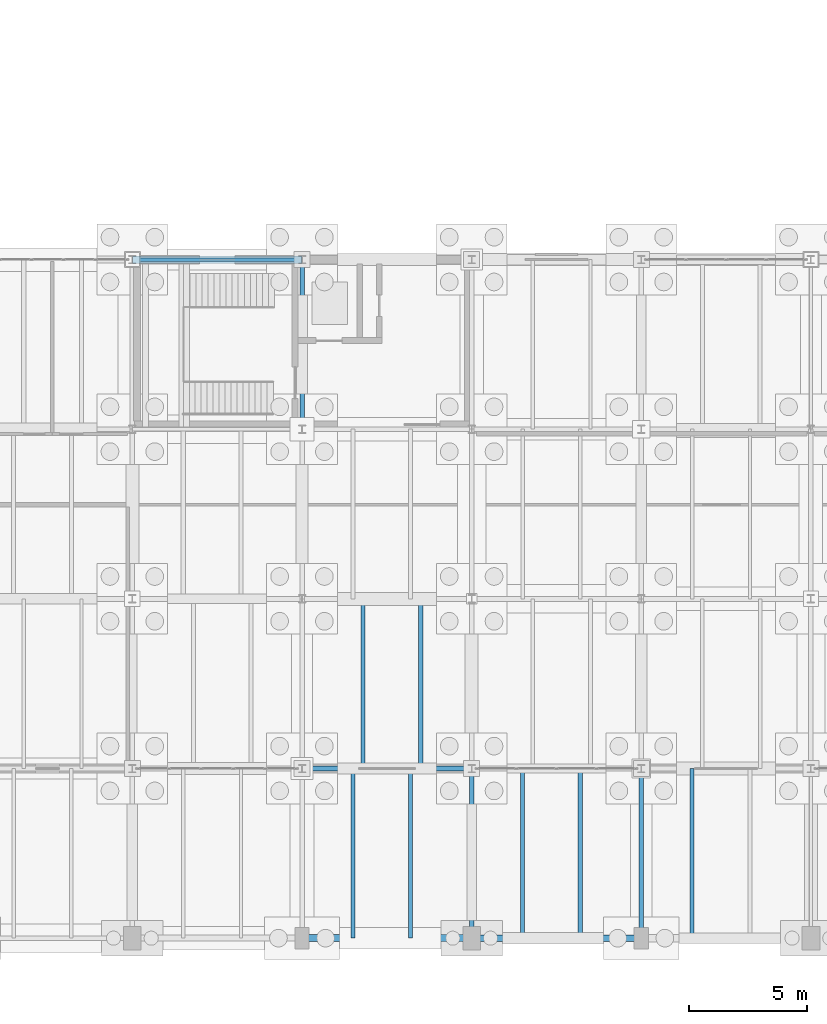
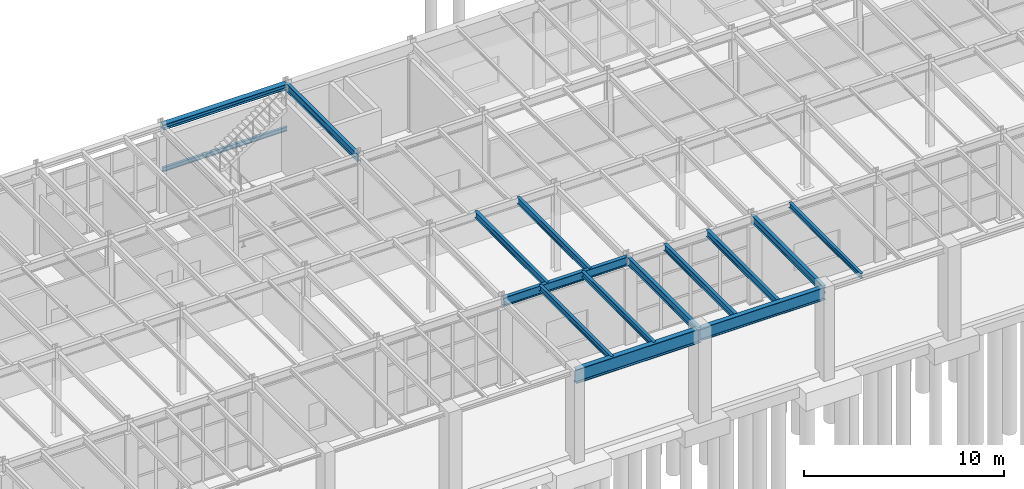
# One storey, part 81 of 293: 15 beams.
"""IFC4 building model written with IfcOpenShell, lengths in metres."""

from ifc_helpers import new_model, si_unit, direction, frame, origin, origin_2d, place, context, subcontext, project, spatial, i_section, extrude, material, material_profile, profile_set, type_object, element, save


model = new_model("IFC4")

# Units and contexts
model_context = context("Model", 3, precision=1e-05, world=origin(), true_north=direction((0.0, 1.0)))
body_context = subcontext(model_context, "Body", "Model", "MODEL_VIEW")
ifc_project = project(units=[si_unit("LENGTHUNIT", "METRE"), si_unit("AREAUNIT", "SQUARE_METRE"), si_unit("VOLUMEUNIT", "CUBIC_METRE"), si_unit("PLANEANGLEUNIT", "RADIAN"), si_unit("MASSUNIT", "GRAM", prefix="KILO")], contexts=[model_context])

# Site, building, storey
site_placement = place(None, origin())
site = spatial("IfcSite", under=ifc_project, at=site_placement, CompositionType="ELEMENT")
building_placement = place(site_placement, origin())
building = spatial("IfcBuilding", under=site, at=building_placement, Name="Kemerveld Promenade Tramway Depot", CompositionType="ELEMENT")
storey_placement = place(building_placement, origin())
storey = spatial("IfcBuildingStorey", under=building, at=storey_placement, Name="L00", CompositionType="ELEMENT", Elevation=0.0)

# Beams
ifc_material = material(Name="Steel S355", Category="steel")
ifc_material_profile_1 = material_profile(ifc_material, i_section(OverallWidth=0.293701171875, OverallDepth=0.850830078125, WebThickness=0.01611328125, FlangeThickness=0.02685546875, FilletRadius=0.017822265625, at=origin_2d()), Name="838x292x226 UB")
ifc_profile_set_1 = profile_set([ifc_material_profile_1], Name="Steel S355")
beam_type_1 = type_object("IfcBeamType", Name="BM-G01", PredefinedType="BEAM", material=ifc_profile_set_1)
beam_1_placement = place(storey_placement, frame((93.60009765625, 0.0, 4.74951171875), z_axis=(1.0, 0.0, 0.0), x_axis=(0.0, 1.0, 0.0)))
element("IfcBeam", 1, at=beam_1_placement, inside=storey, type_object=beam_type_1, Name="BMX-L00-14-15-A", PredefinedType="BEAM", context=body_context, shape_type="SweptSolid", body=[
    extrude(i_section(OverallWidth=0.293701171875, OverallDepth=0.850830078125, WebThickness=0.01611328125, FlangeThickness=0.02685546875, FilletRadius=0.017822265625, at=origin_2d()), origin(), (0.0, 0.0, 1.0), 7.199951171875),
])
ifc_material_profile_2 = material_profile(ifc_material, i_section(OverallWidth=0.2666015625, OverallDepth=0.76220703125, WebThickness=0.014404296875, FlangeThickness=0.021484375, FilletRadius=0.0166015625, at=origin_2d()), Name="762x267x173 UB")
ifc_profile_set_2 = profile_set([ifc_material_profile_2], Name="Steel S355")
beam_type_2 = type_object("IfcBeamType", Name="BM-G02", PredefinedType="BEAM", material=ifc_profile_set_2)
beam_2_placement = place(storey_placement, frame((100.800048828125, 0.0, 4.7939453125), z_axis=(1.0, 0.0, 0.0), x_axis=(0.0, 1.0, 0.0)))
element("IfcBeam", 2, at=beam_2_placement, inside=storey, type_object=beam_type_2, Name="BMX-L00-15-16-A", PredefinedType="BEAM", context=body_context, shape_type="SweptSolid", body=[
    extrude(i_section(OverallWidth=0.2666015625, OverallDepth=0.76220703125, WebThickness=0.014404296875, FlangeThickness=0.021484375, FilletRadius=0.0166015625, at=origin_2d()), origin(), (0.0, 0.0, 1.0), 7.199951171875),
])
ifc_material_profile_3 = material_profile(ifc_material, i_section(OverallWidth=0.2099609375, OverallDepth=0.53662109375, WebThickness=0.0107421875, FlangeThickness=0.017333984375, FilletRadius=0.0126953125, at=origin_2d()), Name="533x210x101 UB")
ifc_profile_set_3 = profile_set([ifc_material_profile_3], Name="Steel S355")
beam_type_3 = type_object("IfcBeamType", Name="BM-G05", PredefinedType="BEAM", material=ifc_profile_set_3)
beam_3_placement = place(storey_placement, frame((93.60009765625, 7.199951171875, 4.906494140625), z_axis=(1.0, 0.0, 0.0), x_axis=(0.0, 1.0, 0.0)))
element("IfcBeam", 3, at=beam_3_placement, inside=storey, type_object=beam_type_3, Name="BMX-L00-14-15-B", PredefinedType="BEAM", context=body_context, shape_type="SweptSolid", body=[
    extrude(i_section(OverallWidth=0.2099609375, OverallDepth=0.53662109375, WebThickness=0.0107421875, FlangeThickness=0.017333984375, FilletRadius=0.0126953125, at=origin_2d()), origin(), (0.0, 0.0, 1.0), 7.199951171875),
])
ifc_material_profile_4 = material_profile(ifc_material, i_section(OverallWidth=0.19140625, OverallDepth=0.4599609375, WebThickness=0.010009765625, FlangeThickness=0.01611328125, FilletRadius=0.01025390625, at=origin_2d()), Name="457x191x82 UB")
ifc_profile_set_4 = profile_set([ifc_material_profile_4], Name="Steel S355")
beam_type_4 = type_object("IfcBeamType", Name="BM-G06", PredefinedType="BEAM", material=ifc_profile_set_4)
for number, where, z_axis, x_axis, name in (
    (4, (93.60009765625, 21.60009765625, 4.945068359375), (0.0, 1.0, 0.0), (-1.0, 0.0, 0.0), "BMY-L00-14-D-E"),
    (5, (100.800048828125, 0.0, 4.945068359375), (0.0, 1.0, 0.0), (-1.0, 0.0, 0.0), "BMY-L00-15-A-B"),
    (6, (108.0, 0.0, 4.945068359375), (0.0, 1.0, 0.0), (-1.0, 0.0, 0.0), "BMY-L00-16-A-B"),
):
    element("IfcBeam", number, at=place(storey_placement, frame(where, z_axis=z_axis, x_axis=x_axis)), inside=storey, type_object=beam_type_4, Name=name, PredefinedType="BEAM", context=body_context, shape_type="SweptSolid", body=[
        extrude(i_section(OverallWidth=0.19140625, OverallDepth=0.4599609375, WebThickness=0.010009765625, FlangeThickness=0.01611328125, FilletRadius=0.01025390625, at=origin_2d()), origin(), (0.0, 0.0, 1.0), 7.199951171875),
    ])
ifc_material_profile_5 = material_profile(ifc_material, i_section(OverallWidth=0.311279296875, OverallDepth=0.3271484375, WebThickness=0.015869140625, FlangeThickness=0.02490234375, FilletRadius=0.01513671875, at=origin_2d()), Name="305x305x158 UC")
ifc_profile_set_5 = profile_set([ifc_material_profile_5], Name="Steel S355")
beam_type_5 = type_object("IfcBeamType", Name="BM-G13", PredefinedType="BEAM", material=ifc_profile_set_5)
beam_4_placement = place(storey_placement, frame((86.39990234375, 28.800048828125, 5.011474609375), z_axis=(1.0, 0.0, 0.0), x_axis=(0.0, 1.0, 0.0)))
element("IfcBeam", 7, at=beam_4_placement, inside=storey, type_object=beam_type_5, Name="BMX-L00-13-14-E", PredefinedType="BEAM", context=body_context, shape_type="SweptSolid", body=[
    extrude(i_section(OverallWidth=0.311279296875, OverallDepth=0.3271484375, WebThickness=0.015869140625, FlangeThickness=0.02490234375, FilletRadius=0.01513671875, at=origin_2d()), origin(), (0.0, 0.0, 1.0), 7.2001953125),
])
ifc_material_profile_6 = material_profile(ifc_material, i_section(OverallWidth=0.165771484375, OverallDepth=0.306640625, WebThickness=0.006591796875, FlangeThickness=0.01171875, FilletRadius=0.0087890625, at=origin_2d()), Name="305x165x46 UB")
ifc_profile_set_6 = profile_set([ifc_material_profile_6], Name="Steel S355")
beam_type_6 = type_object("IfcBeamType", Name="BM-J01", PredefinedType="JOIST", material=ifc_profile_set_6)
beam_5_placement = place(storey_placement, frame((110.159912109375, 0.0, 5.021728515625), z_axis=(0.0, 1.0, 0.0), x_axis=(-1.0, 0.0, 0.0)))
element("IfcBeam", 8, at=beam_5_placement, inside=storey, type_object=beam_type_6, Name="JST-L00-16-A-1", PredefinedType="JOIST", context=body_context, shape_type="SweptSolid", body=[
    extrude(i_section(OverallWidth=0.165771484375, OverallDepth=0.306640625, WebThickness=0.006591796875, FlangeThickness=0.01171875, FilletRadius=0.0087890625, at=origin_2d()), origin(), (0.0, 0.0, 1.0), 7.199951171875),
])
ifc_material_profile_7 = material_profile(ifc_material, i_section(OverallWidth=0.146484375, OverallDepth=0.256103515625, WebThickness=0.00634765625, FlangeThickness=0.010986328125, FilletRadius=0.007568359375, at=origin_2d()), Name="254x146x37 UB")
ifc_profile_set_7 = profile_set([ifc_material_profile_7], Name="Steel S355")
beam_type_7 = type_object("IfcBeamType", Name="BM-J02", PredefinedType="JOIST", material=ifc_profile_set_7)
beam_6_placement = place(storey_placement, frame((86.39990234375, 28.800048828125, 2.3720703125), z_axis=(1.0, 0.0, 0.0), x_axis=(0.0, 1.0, 0.0)))
element("IfcBeam", 9, at=beam_6_placement, inside=storey, type_object=beam_type_7, Name="BM-HLY-ST-04-L00-N", PredefinedType="JOIST", context=body_context, shape_type="SweptSolid", body=[
    extrude(i_section(OverallWidth=0.146484375, OverallDepth=0.256103515625, WebThickness=0.00634765625, FlangeThickness=0.010986328125, FilletRadius=0.007568359375, at=origin_2d()), origin(), (0.0, 0.0, 1.0), 7.2001953125),
])
ifc_material_profile_8 = material_profile(ifc_material, i_section(OverallWidth=0.172119140625, OverallDepth=0.35791015625, WebThickness=0.008056640625, FlangeThickness=0.012939453125, FilletRadius=0.01025390625, at=origin_2d()), Name="356x171x57 UB")
ifc_profile_set_8 = profile_set([ifc_material_profile_8], Name="Steel S355")
beam_type_8 = type_object("IfcBeamType", Name="BM-J04", PredefinedType="JOIST", material=ifc_profile_set_8)
for number, where, z_axis, x_axis, name in (
    (10, (95.760009765625, 0.0, 4.99609375), (0.0, 1.0, 0.0), (-1.0, 0.0, 0.0), "JST-L00-14-A-1"),
    (11, (98.2080078125, 0.0, 4.99609375), (0.0, 1.0, 0.0), (-1.0, 0.0, 0.0), "JST-L00-14-A-2"),
):
    element("IfcBeam", number, at=place(storey_placement, frame(where, z_axis=z_axis, x_axis=x_axis)), inside=storey, type_object=beam_type_8, Name=name, PredefinedType="JOIST", context=body_context, shape_type="SweptSolid", body=[
        extrude(i_section(OverallWidth=0.172119140625, OverallDepth=0.35791015625, WebThickness=0.008056640625, FlangeThickness=0.012939453125, FilletRadius=0.01025390625, at=origin_2d()), origin(), (0.0, 0.0, 1.0), 7.199951171875),
    ])
ifc_material_profile_9 = material_profile(ifc_material, i_section(OverallWidth=0.1787109375, OverallDepth=0.409423828125, WebThickness=0.0087890625, FlangeThickness=0.014404296875, FilletRadius=0.01025390625, at=origin_2d()), Name="406x178x67 UB")
ifc_profile_set_9 = profile_set([ifc_material_profile_9], Name="Steel S355")
beam_type_9 = type_object("IfcBeamType", Name="BM-J05", PredefinedType="JOIST", material=ifc_profile_set_9)
for number, where, z_axis, x_axis, name in (
    (12, (96.19189453125, 7.199951171875, 4.97021484375), (0.0, 1.0, 0.0), (-1.0, 0.0, 0.0), "JST-L00-14-B-1"),
    (13, (98.639892578125, 7.199951171875, 4.97021484375), (0.0, 1.0, 0.0), (-1.0, 0.0, 0.0), "JST-L00-14-B-2"),
    (14, (102.9599609375, 0.0, 4.97021484375), (0.0, 1.0, 0.0), (-1.0, 0.0, 0.0), "JST-L00-15-A-1"),
    (15, (105.407958984375, 0.0, 4.97021484375), (0.0, 1.0, 0.0), (-1.0, 0.0, 0.0), "JST-L00-15-A-2"),
):
    element("IfcBeam", number, at=place(storey_placement, frame(where, z_axis=z_axis, x_axis=x_axis)), inside=storey, type_object=beam_type_9, Name=name, PredefinedType="JOIST", context=body_context, shape_type="SweptSolid", body=[
        extrude(i_section(OverallWidth=0.1787109375, OverallDepth=0.409423828125, WebThickness=0.0087890625, FlangeThickness=0.014404296875, FilletRadius=0.01025390625, at=origin_2d()), origin(), (0.0, 0.0, 1.0), 7.199951171875),
    ])

save(model, "model.ifc")
